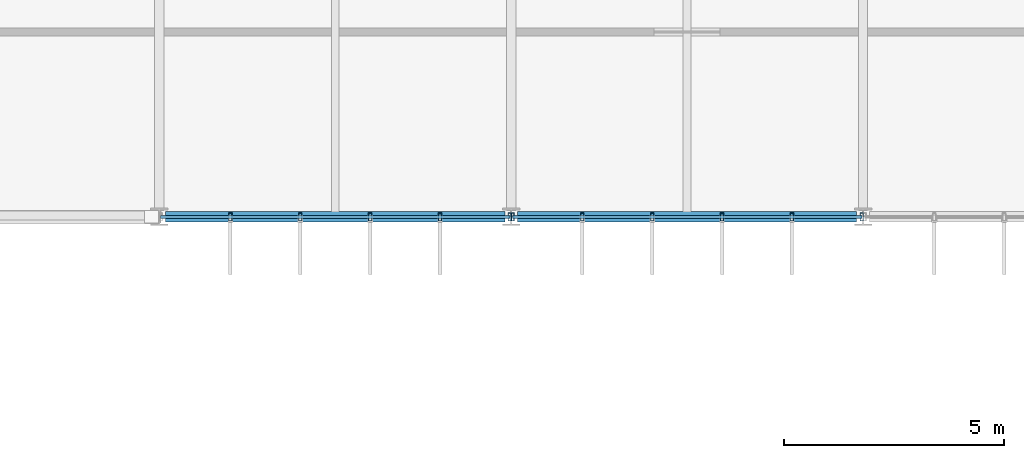
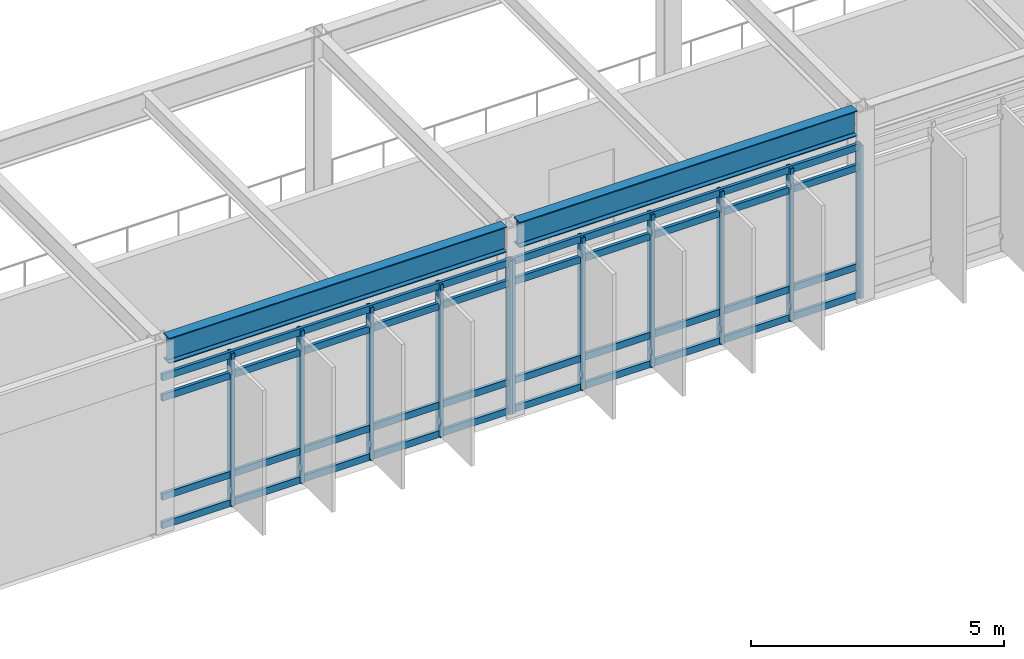
# One storey, part 36 of 104: 19 members, 2 beams, 2 elements without a shape of their own.
"""IFC4 building model written with IfcOpenShell, lengths in metres."""

import ifcopenshell
import ifcopenshell.guid

model = None  # the IFC model being written
_history = None  # IfcOwnerHistory: only IFC2X3 demands one
_inside = {}  # id of a spatial element -> (the spatial element, [elements in it])
_under = {}  # id of a project, library or spatial element -> (it, [spatial elements below it])
_declared = {}  # id of a project -> (the project, [libraries it declares])
_typed = {}  # id of a type object -> (the type object, [elements of that type])
_made_of = {}  # id of a material, layer set ... -> (it, [elements and type objects made of it])


def new_model(schema):
    """Start an empty IFC model of exactly this schema.

    Asked for "IFC4X3", IfcOpenShell would pick the latest addendum, in which some entities
    have other attributes; the version numbers below select the first issue.
    IFC2X3 requires an IfcOwnerHistory on every rooted entity: one is made here for all.
    """
    global model, _history
    if schema == "IFC4X3":
        model = ifcopenshell.file(schema_version=(4, 3, 0, 0))
    else:
        model = ifcopenshell.file(schema=schema)
    _inside.clear()
    _under.clear()
    _declared.clear()
    _typed.clear()
    _made_of.clear()
    _history = None
    if model.schema == "IFC2X3":
        org = make("IfcOrganization", Name="unknown")
        user = make(
            "IfcPersonAndOrganization",
            ThePerson=make("IfcPerson", FamilyName="unknown"),
            TheOrganization=org,
        )
        app = make(
            "IfcApplication",
            ApplicationDeveloper=org,
            Version="unknown",
            ApplicationFullName="unknown",
            ApplicationIdentifier="unknown",
        )
        _history = make(
            "IfcOwnerHistory",
            OwningUser=user,
            OwningApplication=app,
            ChangeAction="ADDED",
            CreationDate=0,
        )
    return model


def make(cls, **values):
    """One entity of the class cls with the attributes given. An attribute that is None is left unset."""
    return model.create_entity(
        cls, **{name: value for name, value in values.items() if value is not None}
    )


def rooted(cls, **values):
    """An entity with a GlobalId (a new one), such as an element, a storey or a relation."""
    return make(cls, GlobalId=ifcopenshell.guid.new(), OwnerHistory=_history, **values)


def si_unit(unit_type, name, prefix=None):
    """IfcSIUnit, for example si_unit("LENGTHUNIT", "METRE", prefix="MILLI")."""
    return make("IfcSIUnit", UnitType=unit_type, Prefix=prefix, Name=name)


def assignment(units):
    """IfcUnitAssignment: the units of a project."""
    return None if units is None else make("IfcUnitAssignment", Units=units)


def point(xyz):
    """IfcCartesianPoint."""
    return None if xyz is None else make("IfcCartesianPoint", Coordinates=xyz)


def direction(xyz):
    """IfcDirection."""
    return None if xyz is None else make("IfcDirection", DirectionRatios=xyz)


def frame(location, z_axis=None, x_axis=None):
    """IfcAxis2Placement3D, a coordinate frame: its origin and axes. An axis left out is left unset."""
    return make(
        "IfcAxis2Placement3D",
        Location=point(location),
        Axis=direction(z_axis),
        RefDirection=direction(x_axis),
    )


def frame_2d(location, x_axis=None):
    """IfcAxis2Placement2D, a coordinate frame in the plane: its origin and x axis."""
    return make(
        "IfcAxis2Placement2D", Location=point(location), RefDirection=direction(x_axis)
    )


def origin():
    """The frame at (0, 0, 0) with its axes left unset."""
    return frame((0.0, 0.0, 0.0))


def origin_2d():
    """The frame at (0, 0) in the plane with its x axis left unset."""
    return frame_2d((0.0, 0.0))


def place(relative_to, where):
    """IfcLocalPlacement: puts the frame where relative to a parent placement (None: the world)."""
    return make(
        "IfcLocalPlacement", PlacementRelTo=relative_to, RelativePlacement=where
    )


def context(
    kind, dimensions, precision=None, world=None, true_north=None, identifier=None
):
    """IfcGeometricRepresentationContext, for example the 3D "Model" context."""
    return make(
        "IfcGeometricRepresentationContext",
        ContextIdentifier=identifier,
        ContextType=kind,
        CoordinateSpaceDimension=dimensions,
        Precision=precision,
        WorldCoordinateSystem=world,
        TrueNorth=true_north,
    )


def subcontext(parent, identifier, kind, view, scale=None):
    """IfcGeometricRepresentationSubContext, for example "Body" below "Model"."""
    return make(
        "IfcGeometricRepresentationSubContext",
        ContextIdentifier=identifier,
        ContextType=kind,
        ParentContext=parent,
        TargetScale=scale,
        TargetView=view,
    )


def project(units=None, contexts=None):
    """IfcProject with its units and contexts."""
    return rooted(
        "IfcProject",
        Name="project",
        RepresentationContexts=contexts,
        UnitsInContext=assignment(units),
    )


def spatial(cls, under=None, at=None, **own):
    """A site, building, storey or space (cls), placed at a placement, below another one or the project."""
    s = rooted(cls, ObjectPlacement=at, **own)
    if under is not None:
        _under.setdefault(under.id(), (under, []))[1].append(s)
    return s


def profile(cls, at=None, kind="AREA", **sizes):
    """A parametric profile (cls). Its sizes go by their IFC names, for example OverallWidth=200.0."""
    return make(cls, ProfileType=kind, Position=at, **sizes)


def hollow_rectangle(**sizes):
    """IfcRectangleHollowProfileDef."""
    return profile("IfcRectangleHollowProfileDef", **sizes)


def i_section(**sizes):
    """IfcIShapeProfileDef."""
    return profile("IfcIShapeProfileDef", **sizes)


def extrude(swept, where, along, depth):
    """IfcExtrudedAreaSolid: the profile swept, set in the frame where, extruded along a direction by depth."""
    return make(
        "IfcExtrudedAreaSolid",
        SweptArea=swept,
        Position=where,
        ExtrudedDirection=direction(along),
        Depth=depth,
    )


def shape(context_of_items, identifier, shape_type, items):
    """IfcShapeRepresentation: the items that make up one representation, for example the "Body"."""
    return make(
        "IfcShapeRepresentation",
        ContextOfItems=context_of_items,
        RepresentationIdentifier=identifier,
        RepresentationType=shape_type,
        Items=items,
    )


def material(Name=None, Category=None):
    """IfcMaterial."""
    return make("IfcMaterial", Name=Name, Category=Category)


def material_profile(
    of_material, cross_section, Name=None, Category=None, Priority=None
):
    """IfcMaterialProfile: a cross section and its material."""
    return make(
        "IfcMaterialProfile",
        Name=Name,
        Material=of_material,
        Profile=cross_section,
        Priority=Priority,
        Category=Category,
    )


def profile_set(profiles, Name=None, composite=None):
    """IfcMaterialProfileSet."""
    return make(
        "IfcMaterialProfileSet",
        Name=Name,
        MaterialProfiles=profiles,
        CompositeProfile=composite,
    )


def made_of(thing, what):
    """Note that an element or type object is made of a material, layer set ...; save() writes the relation."""
    if what is not None:
        _made_of.setdefault(what.id(), (what, []))[1].append(thing)
    return thing


def type_object(cls, material=None, **own):
    """A type object (cls), such as IfcWallType, which elements share."""
    return made_of(rooted(cls, **own), material)


def element(
    cls,
    number,
    at=None,
    inside=None,
    cuts=None,
    type_object=None,
    material=None,
    context=None,
    identifier="Body",
    shape_type=None,
    held_by="IfcProductDefinitionShape",
    body=None,
    shapes=None,
    **own,
):
    """One element of the class cls, such as IfcWall. Its Tag is "e" and its number.

    at: its placement. inside: the storey or other place that contains it. cuts: it is an
    opening in that element (IfcRelVoidsElement). A single representation is given by context,
    identifier, shape_type and body (its items); several are given by shapes. held_by: the class
    of the entity that holds the representations. save() writes the other relations.
    """
    e = rooted(cls, Tag="e%d" % number, ObjectPlacement=at, **own)
    if body is not None:
        shapes = [shape(context, identifier, shape_type, body)]
    if shapes is not None:
        e.Representation = make(held_by, Representations=shapes)
    if inside is not None:
        _inside.setdefault(inside.id(), (inside, []))[1].append(e)
    if cuts is not None:
        rooted(
            "IfcRelVoidsElement", RelatingBuildingElement=cuts, RelatedOpeningElement=e
        )
    if type_object is not None:
        _typed.setdefault(type_object.id(), (type_object, []))[1].append(e)
    return made_of(e, material)


def aggregate(whole, parts):
    """IfcRelAggregates: a whole, such as a stair, and the parts it consists of."""
    return rooted("IfcRelAggregates", RelatingObject=whole, RelatedObjects=parts)


def save(model, path):
    """Write the relations noted so far, then the file.

    IfcRelAggregates (storeys below a building ...), IfcRelContainedInSpatialStructure (elements
    in a storey), IfcRelDefinesByType, IfcRelAssociatesMaterial and IfcRelDeclares: one each for
    every whole, place, type object, material and project.
    """
    for whole, parts in _under.values():
        aggregate(whole, parts)
    for where, things in _inside.values():
        rooted(
            "IfcRelContainedInSpatialStructure",
            RelatedElements=things,
            RelatingStructure=where,
        )
    for kind, things in _typed.values():
        rooted("IfcRelDefinesByType", RelatedObjects=things, RelatingType=kind)
    for what, things in _made_of.values():
        rooted("IfcRelAssociatesMaterial", RelatedObjects=things, RelatingMaterial=what)
    for by, libraries in _declared.values():
        rooted("IfcRelDeclares", RelatingContext=by, RelatedDefinitions=libraries)
    model.write(path)


model = new_model("IFC4")

# Units and contexts
model_context = context("Model", 3, precision=1e-05, world=origin(), true_north=direction((0.0, 1.0)))
body_context = subcontext(model_context, "Body", "Model", "MODEL_VIEW")
ifc_project = project(units=[si_unit("LENGTHUNIT", "METRE"), si_unit("AREAUNIT", "SQUARE_METRE"), si_unit("VOLUMEUNIT", "CUBIC_METRE"), si_unit("PLANEANGLEUNIT", "RADIAN"), si_unit("MASSUNIT", "GRAM", prefix="KILO")], contexts=[model_context])

# Site, building, storey
site_placement = place(None, origin())
site = spatial("IfcSite", under=ifc_project, at=site_placement, CompositionType="ELEMENT")
building_placement = place(site_placement, origin())
building = spatial("IfcBuilding", under=site, at=building_placement, Name="Zulena Civic Courthouse", CompositionType="ELEMENT")
storey_placement = place(building_placement, frame((0.0, 0.0, 10.800048828125)))
storey = spatial("IfcBuildingStorey", under=building, at=storey_placement, Name="L02", CompositionType="ELEMENT", Elevation=10.800048828125)

# Curtain wall, members
ifc_material_1 = material(Name="Double-silver low-E laminated solar-control glass", Category="glass")
curtain_wall_type = type_object("IfcCurtainWallType", Name="CW_7940x3690", PredefinedType="USERDEFINED", material=ifc_material_1)
curtain_wall_1_placement = place(storey_placement, origin())
curtain_wall_1 = element("IfcCurtainWall", 1, at=curtain_wall_1_placement, inside=storey, type_object=curtain_wall_type, Name="cw:V4:L02:3:3", ObjectType="UNITISED CURTAIN WALL", PredefinedType="USERDEFINED")
ifc_material_2 = material(Name="Bronze anodised thermally broken aluminium AA6063-T6", Category="aluminium")
ifc_material_profile_1 = material_profile(ifc_material_2, hollow_rectangle(XDim=0.074951171875, YDim=0.179931640625, WallThickness=0.0048828125, at=origin_2d()), Name="CWM180X75X5")
ifc_profile_set_1 = profile_set([ifc_material_profile_1], Name="Bronze anodised thermally broken aluminium AA6063-T6")
member_type_1 = type_object("IfcMemberType", Name="CWMullion_180x75", PredefinedType="MULLION", material=ifc_profile_set_1)
member_1_placement = place(storey_placement, frame((99.969970703125, 15.199951171875, 0.0), z_axis=(0.0, 0.0, 1.0), x_axis=(1.0, 0.0, 0.0)))
member_1 = element("IfcMember", 2, at=member_1_placement, type_object=member_type_1, Name="cw:V4:L02:3:3:mull:0", PredefinedType="MULLION", context=body_context, shape_type="SweptSolid", body=[
    extrude(hollow_rectangle(XDim=0.074951171875, YDim=0.179931640625, WallThickness=0.0048828125, at=origin_2d()), origin(), (0.0, 0.0, 1.0), 3.68994140625),
])
member_2_placement = place(storey_placement, frame((98.382080078125, 15.199951171875, 0.0), z_axis=(0.0, 0.0, 1.0), x_axis=(1.0, 0.0, 0.0)))
member_2 = element("IfcMember", 3, at=member_2_placement, type_object=member_type_1, Name="cw:V4:L02:3:3:mull:1", PredefinedType="MULLION", context=body_context, shape_type="SweptSolid", body=[
    extrude(hollow_rectangle(XDim=0.074951171875, YDim=0.179931640625, WallThickness=0.0048828125, at=origin_2d()), origin(), (0.0, 0.0, 1.0), 3.68994140625),
])
member_3_placement = place(storey_placement, frame((96.7939453125, 15.199951171875, 0.0), z_axis=(0.0, 0.0, 1.0), x_axis=(1.0, 0.0, 0.0)))
member_3 = element("IfcMember", 4, at=member_3_placement, type_object=member_type_1, Name="cw:V4:L02:3:3:mull:2", PredefinedType="MULLION", context=body_context, shape_type="SweptSolid", body=[
    extrude(hollow_rectangle(XDim=0.074951171875, YDim=0.179931640625, WallThickness=0.0048828125, at=origin_2d()), origin(), (0.0, 0.0, 1.0), 3.68994140625),
])
member_4_placement = place(storey_placement, frame((95.2060546875, 15.199951171875, 0.0), z_axis=(0.0, 0.0, 1.0), x_axis=(1.0, 0.0, 0.0)))
member_4 = element("IfcMember", 5, at=member_4_placement, type_object=member_type_1, Name="cw:V4:L02:3:3:mull:3", PredefinedType="MULLION", context=body_context, shape_type="SweptSolid", body=[
    extrude(hollow_rectangle(XDim=0.074951171875, YDim=0.179931640625, WallThickness=0.0048828125, at=origin_2d()), origin(), (0.0, 0.0, 1.0), 3.68994140625),
])
member_5_placement = place(storey_placement, frame((93.617919921875, 15.199951171875, 0.0), z_axis=(0.0, 0.0, 1.0), x_axis=(1.0, 0.0, 0.0)))
member_5 = element("IfcMember", 6, at=member_5_placement, type_object=member_type_1, Name="cw:V4:L02:3:3:mull:4", PredefinedType="MULLION", context=body_context, shape_type="SweptSolid", body=[
    extrude(hollow_rectangle(XDim=0.074951171875, YDim=0.179931640625, WallThickness=0.0048828125, at=origin_2d()), origin(), (0.0, 0.0, 1.0), 3.68994140625),
])
member_6_placement = place(storey_placement, frame((92.030029296875, 15.199951171875, 0.0), z_axis=(0.0, 0.0, 1.0), x_axis=(1.0, 0.0, 0.0)))
member_6 = element("IfcMember", 7, at=member_6_placement, type_object=member_type_1, Name="cw:V4:L02:3:3:mull:5", PredefinedType="MULLION", context=body_context, shape_type="SweptSolid", body=[
    extrude(hollow_rectangle(XDim=0.074951171875, YDim=0.179931640625, WallThickness=0.0048828125, at=origin_2d()), origin(), (0.0, 0.0, 1.0), 3.68994140625),
])

curtain_wall_2_placement = place(storey_placement, origin())
curtain_wall_2 = element("IfcCurtainWall", 8, at=curtain_wall_2_placement, inside=storey, type_object=curtain_wall_type, Name="cw:V4:L02:3:4", ObjectType="UNITISED CURTAIN WALL", PredefinedType="USERDEFINED")
member_7_placement = place(storey_placement, frame((91.969970703125, 15.199951171875, 0.0), z_axis=(0.0, 0.0, 1.0), x_axis=(1.0, 0.0, 0.0)))
member_7 = element("IfcMember", 9, at=member_7_placement, type_object=member_type_1, Name="cw:V4:L02:3:4:mull:0", PredefinedType="MULLION", context=body_context, shape_type="SweptSolid", body=[
    extrude(hollow_rectangle(XDim=0.074951171875, YDim=0.179931640625, WallThickness=0.0048828125, at=origin_2d()), origin(), (0.0, 0.0, 1.0), 3.68994140625),
])
member_8_placement = place(storey_placement, frame((90.382080078125, 15.199951171875, 0.0), z_axis=(0.0, 0.0, 1.0), x_axis=(1.0, 0.0, 0.0)))
member_8 = element("IfcMember", 10, at=member_8_placement, type_object=member_type_1, Name="cw:V4:L02:3:4:mull:1", PredefinedType="MULLION", context=body_context, shape_type="SweptSolid", body=[
    extrude(hollow_rectangle(XDim=0.074951171875, YDim=0.179931640625, WallThickness=0.0048828125, at=origin_2d()), origin(), (0.0, 0.0, 1.0), 3.68994140625),
])
member_9_placement = place(storey_placement, frame((88.7939453125, 15.199951171875, 0.0), z_axis=(0.0, 0.0, 1.0), x_axis=(1.0, 0.0, 0.0)))
member_9 = element("IfcMember", 11, at=member_9_placement, type_object=member_type_1, Name="cw:V4:L02:3:4:mull:2", PredefinedType="MULLION", context=body_context, shape_type="SweptSolid", body=[
    extrude(hollow_rectangle(XDim=0.074951171875, YDim=0.179931640625, WallThickness=0.0048828125, at=origin_2d()), origin(), (0.0, 0.0, 1.0), 3.68994140625),
])
member_10_placement = place(storey_placement, frame((87.2060546875, 15.199951171875, 0.0), z_axis=(0.0, 0.0, 1.0), x_axis=(1.0, 0.0, 0.0)))
member_10 = element("IfcMember", 12, at=member_10_placement, type_object=member_type_1, Name="cw:V4:L02:3:4:mull:3", PredefinedType="MULLION", context=body_context, shape_type="SweptSolid", body=[
    extrude(hollow_rectangle(XDim=0.074951171875, YDim=0.179931640625, WallThickness=0.0048828125, at=origin_2d()), origin(), (0.0, 0.0, 1.0), 3.68994140625),
])
member_11_placement = place(storey_placement, frame((85.617919921875, 15.199951171875, 0.0), z_axis=(0.0, 0.0, 1.0), x_axis=(1.0, 0.0, 0.0)))
member_11 = element("IfcMember", 13, at=member_11_placement, type_object=member_type_1, Name="cw:V4:L02:3:4:mull:4", PredefinedType="MULLION", context=body_context, shape_type="SweptSolid", body=[
    extrude(hollow_rectangle(XDim=0.074951171875, YDim=0.179931640625, WallThickness=0.0048828125, at=origin_2d()), origin(), (0.0, 0.0, 1.0), 3.68994140625),
])

# Member
ifc_material_profile_2 = material_profile(ifc_material_2, hollow_rectangle(XDim=0.070068359375, YDim=0.1650390625, WallThickness=0.00390625, at=origin_2d()), Name="CWT165X70X4")
ifc_profile_set_2 = profile_set([ifc_material_profile_2], Name="Bronze anodised thermally broken aluminium AA6063-T6")
member_type_2 = type_object("IfcMemberType", Name="CWTransom_165x70", PredefinedType="USERDEFINED", material=ifc_profile_set_2)
member_12_placement = place(storey_placement, frame((99.969970703125, 15.199951171875, 0.06005859375), z_axis=(-1.0, 0.0, 0.0), x_axis=(0.0, -1.0, 0.0)))
member_12 = element("IfcMember", 14, at=member_12_placement, type_object=member_type_2, Name="cw:V4:L02:3:3:tran:0", ObjectType="TRANSOM", PredefinedType="USERDEFINED", context=body_context, shape_type="SweptSolid", body=[
    extrude(hollow_rectangle(XDim=0.070068359375, YDim=0.1650390625, WallThickness=0.00390625, at=origin_2d()), origin(), (0.0, 0.0, 1.0), 7.93994140625),
])

member_13_placement = place(storey_placement, frame((99.969970703125, 15.199951171875, 0.75), z_axis=(-1.0, 0.0, 0.0), x_axis=(0.0, -1.0, 0.0)))
member_13 = element("IfcMember", 15, at=member_13_placement, type_object=member_type_2, Name="cw:V4:L02:3:3:tran:1", ObjectType="TRANSOM", PredefinedType="USERDEFINED", context=body_context, shape_type="SweptSolid", body=[
    extrude(hollow_rectangle(XDim=0.070068359375, YDim=0.1650390625, WallThickness=0.00390625, at=origin_2d()), origin(), (0.0, 0.0, 1.0), 7.93994140625),
])

member_14_placement = place(storey_placement, frame((99.969970703125, 15.199951171875, 3.139892578125), z_axis=(-1.0, 0.0, 0.0), x_axis=(0.0, -1.0, 0.0)))
member_14 = element("IfcMember", 16, at=member_14_placement, type_object=member_type_2, Name="cw:V4:L02:3:3:tran:2", ObjectType="TRANSOM", PredefinedType="USERDEFINED", context=body_context, shape_type="SweptSolid", body=[
    extrude(hollow_rectangle(XDim=0.070068359375, YDim=0.1650390625, WallThickness=0.00390625, at=origin_2d()), origin(), (0.0, 0.0, 1.0), 7.93994140625),
])

member_15_placement = place(storey_placement, frame((99.969970703125, 15.199951171875, 3.6298828125), z_axis=(-1.0, 0.0, 0.0), x_axis=(0.0, -1.0, 0.0)))
member_15 = element("IfcMember", 17, at=member_15_placement, type_object=member_type_2, Name="cw:V4:L02:3:3:tran:3", ObjectType="TRANSOM", PredefinedType="USERDEFINED", context=body_context, shape_type="SweptSolid", body=[
    extrude(hollow_rectangle(XDim=0.070068359375, YDim=0.1650390625, WallThickness=0.00390625, at=origin_2d()), origin(), (0.0, 0.0, 1.0), 7.93994140625),
])

aggregate(curtain_wall_1, [member_1, member_2, member_3, member_4, member_5, member_6, member_12, member_13, member_14, member_15])

member_16_placement = place(storey_placement, frame((91.969970703125, 15.199951171875, 0.06005859375), z_axis=(-1.0, 0.0, 0.0), x_axis=(0.0, -1.0, 0.0)))
member_16 = element("IfcMember", 18, at=member_16_placement, type_object=member_type_2, Name="cw:V4:L02:3:4:tran:0", ObjectType="TRANSOM", PredefinedType="USERDEFINED", context=body_context, shape_type="SweptSolid", body=[
    extrude(hollow_rectangle(XDim=0.070068359375, YDim=0.1650390625, WallThickness=0.00390625, at=origin_2d()), origin(), (0.0, 0.0, 1.0), 7.93994140625),
])

member_17_placement = place(storey_placement, frame((91.969970703125, 15.199951171875, 0.75), z_axis=(-1.0, 0.0, 0.0), x_axis=(0.0, -1.0, 0.0)))
member_17 = element("IfcMember", 19, at=member_17_placement, type_object=member_type_2, Name="cw:V4:L02:3:4:tran:1", ObjectType="TRANSOM", PredefinedType="USERDEFINED", context=body_context, shape_type="SweptSolid", body=[
    extrude(hollow_rectangle(XDim=0.070068359375, YDim=0.1650390625, WallThickness=0.00390625, at=origin_2d()), origin(), (0.0, 0.0, 1.0), 7.93994140625),
])

member_18_placement = place(storey_placement, frame((91.969970703125, 15.199951171875, 3.139892578125), z_axis=(-1.0, 0.0, 0.0), x_axis=(0.0, -1.0, 0.0)))
member_18 = element("IfcMember", 20, at=member_18_placement, type_object=member_type_2, Name="cw:V4:L02:3:4:tran:2", ObjectType="TRANSOM", PredefinedType="USERDEFINED", context=body_context, shape_type="SweptSolid", body=[
    extrude(hollow_rectangle(XDim=0.070068359375, YDim=0.1650390625, WallThickness=0.00390625, at=origin_2d()), origin(), (0.0, 0.0, 1.0), 7.93994140625),
])

member_19_placement = place(storey_placement, frame((91.969970703125, 15.199951171875, 3.6298828125), z_axis=(-1.0, 0.0, 0.0), x_axis=(0.0, -1.0, 0.0)))
member_19 = element("IfcMember", 21, at=member_19_placement, type_object=member_type_2, Name="cw:V4:L02:3:4:tran:3", ObjectType="TRANSOM", PredefinedType="USERDEFINED", context=body_context, shape_type="SweptSolid", body=[
    extrude(hollow_rectangle(XDim=0.070068359375, YDim=0.1650390625, WallThickness=0.00390625, at=origin_2d()), origin(), (0.0, 0.0, 1.0), 7.93994140625),
])

aggregate(curtain_wall_2, [member_7, member_8, member_9, member_10, member_11, member_16, member_17, member_18, member_19])

# Beams
ifc_material_3 = material(Name="Steel ASTM A992 Grade 50", Category="steel")
ifc_material_profile_3 = material_profile(ifc_material_3, i_section(OverallWidth=0.22998046875, OverallDepth=0.616943359375, WebThickness=0.01318359375, FlangeThickness=0.022216796875, FilletRadius=0.0126953125, at=origin_2d()), Name="W24X94")
ifc_profile_set_3 = profile_set([ifc_material_profile_3], Name="Steel ASTM A992 Grade 50")
beam_type = type_object("IfcBeamType", Name="Spandrel_W24X94", PredefinedType="SPANDREL", material=ifc_profile_set_3)
for number, where, z_axis, x_axis, name in (
    (22, (84.14501953125, 15.199951171875, 4.281494140625), (1.0, 0.0, 0.0), (0.0, 1.0, 0.0), "beam:X:V4:L02:15.2:84.0_92.0"),
    (23, (92.14501953125, 15.199951171875, 4.281494140625), (1.0, 0.0, 0.0), (0.0, 1.0, 0.0), "beam:X:V4:L02:15.2:92.0_100.0"),
):
    element("IfcBeam", number, at=place(storey_placement, frame(where, z_axis=z_axis, x_axis=x_axis)), inside=storey, type_object=beam_type, Name=name, PredefinedType="SPANDREL", context=body_context, shape_type="SweptSolid", body=[
        extrude(i_section(OverallWidth=0.22998046875, OverallDepth=0.616943359375, WebThickness=0.01318359375, FlangeThickness=0.022216796875, FilletRadius=0.0126953125, at=origin_2d()), origin(), (0.0, 0.0, 1.0), 7.7099609375),
    ])

save(model, "model.ifc")
